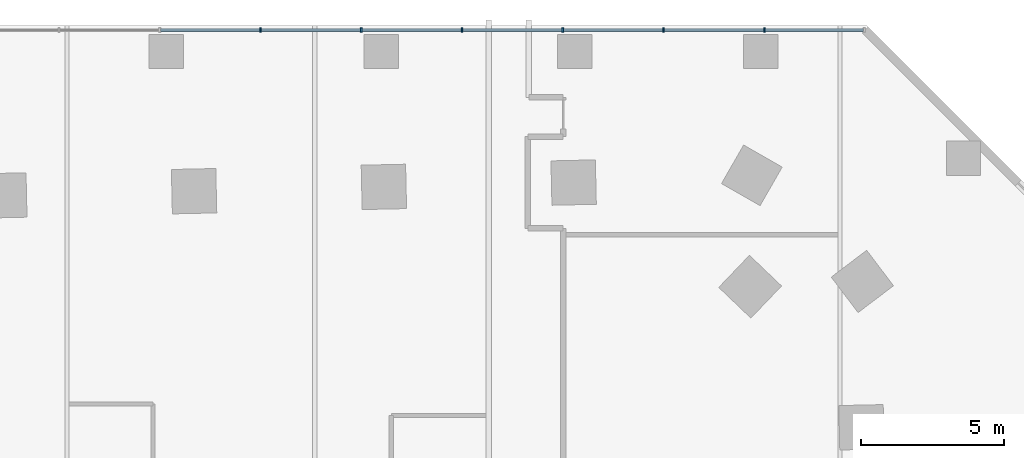
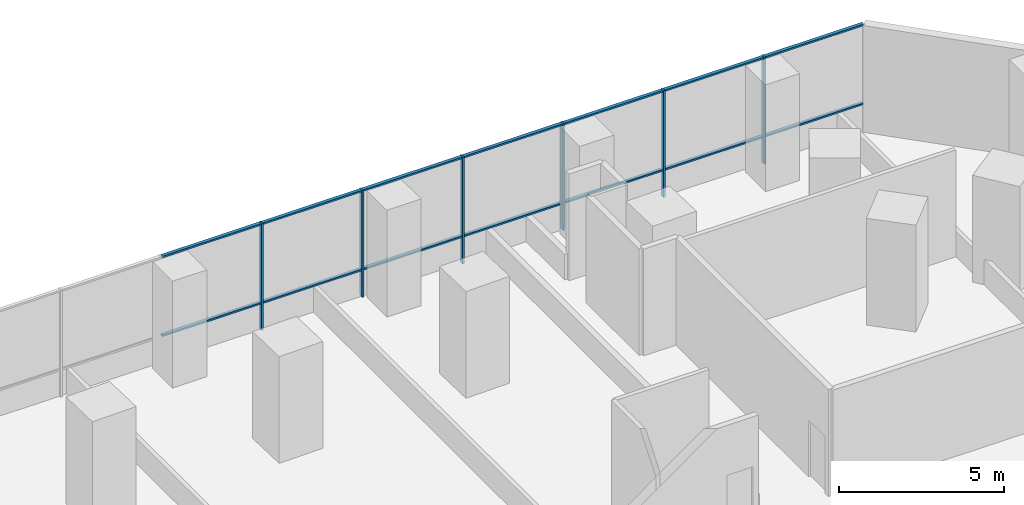
# One storey, part 3 of 13: 20 members, 1 element without a shape of its own.
"""IFC4 building model written with IfcOpenShell, lengths in metres."""

import ifcopenshell
import ifcopenshell.guid

model = None  # the IFC model being written
_history = None  # IfcOwnerHistory: only IFC2X3 demands one
_inside = {}  # id of a spatial element -> (the spatial element, [elements in it])
_under = {}  # id of a project, library or spatial element -> (it, [spatial elements below it])
_declared = {}  # id of a project -> (the project, [libraries it declares])
_typed = {}  # id of a type object -> (the type object, [elements of that type])
_made_of = {}  # id of a material, layer set ... -> (it, [elements and type objects made of it])


def new_model(schema):
    """Start an empty IFC model of exactly this schema.

    Asked for "IFC4X3", IfcOpenShell would pick the latest addendum, in which some entities
    have other attributes; the version numbers below select the first issue.
    IFC2X3 requires an IfcOwnerHistory on every rooted entity: one is made here for all.
    """
    global model, _history
    if schema == "IFC4X3":
        model = ifcopenshell.file(schema_version=(4, 3, 0, 0))
    else:
        model = ifcopenshell.file(schema=schema)
    _inside.clear()
    _under.clear()
    _declared.clear()
    _typed.clear()
    _made_of.clear()
    _history = None
    if model.schema == "IFC2X3":
        org = make("IfcOrganization", Name="unknown")
        user = make(
            "IfcPersonAndOrganization",
            ThePerson=make("IfcPerson", FamilyName="unknown"),
            TheOrganization=org,
        )
        app = make(
            "IfcApplication",
            ApplicationDeveloper=org,
            Version="unknown",
            ApplicationFullName="unknown",
            ApplicationIdentifier="unknown",
        )
        _history = make(
            "IfcOwnerHistory",
            OwningUser=user,
            OwningApplication=app,
            ChangeAction="ADDED",
            CreationDate=0,
        )
    return model


def make(cls, **values):
    """One entity of the class cls with the attributes given. An attribute that is None is left unset."""
    return model.create_entity(
        cls, **{name: value for name, value in values.items() if value is not None}
    )


def rooted(cls, **values):
    """An entity with a GlobalId (a new one), such as an element, a storey or a relation."""
    return make(cls, GlobalId=ifcopenshell.guid.new(), OwnerHistory=_history, **values)


def si_unit(unit_type, name, prefix=None):
    """IfcSIUnit, for example si_unit("LENGTHUNIT", "METRE", prefix="MILLI")."""
    return make("IfcSIUnit", UnitType=unit_type, Prefix=prefix, Name=name)


def assignment(units):
    """IfcUnitAssignment: the units of a project."""
    return None if units is None else make("IfcUnitAssignment", Units=units)


def point(xyz):
    """IfcCartesianPoint."""
    return None if xyz is None else make("IfcCartesianPoint", Coordinates=xyz)


def direction(xyz):
    """IfcDirection."""
    return None if xyz is None else make("IfcDirection", DirectionRatios=xyz)


def frame(location, z_axis=None, x_axis=None):
    """IfcAxis2Placement3D, a coordinate frame: its origin and axes. An axis left out is left unset."""
    return make(
        "IfcAxis2Placement3D",
        Location=point(location),
        Axis=direction(z_axis),
        RefDirection=direction(x_axis),
    )


def frame_2d(location, x_axis=None):
    """IfcAxis2Placement2D, a coordinate frame in the plane: its origin and x axis."""
    return make(
        "IfcAxis2Placement2D", Location=point(location), RefDirection=direction(x_axis)
    )


def origin():
    """The frame at (0, 0, 0) with its axes left unset."""
    return frame((0.0, 0.0, 0.0))


def origin_2d():
    """The frame at (0, 0) in the plane with its x axis left unset."""
    return frame_2d((0.0, 0.0))


def place(relative_to, where):
    """IfcLocalPlacement: puts the frame where relative to a parent placement (None: the world)."""
    return make(
        "IfcLocalPlacement", PlacementRelTo=relative_to, RelativePlacement=where
    )


def context(
    kind, dimensions, precision=None, world=None, true_north=None, identifier=None
):
    """IfcGeometricRepresentationContext, for example the 3D "Model" context."""
    return make(
        "IfcGeometricRepresentationContext",
        ContextIdentifier=identifier,
        ContextType=kind,
        CoordinateSpaceDimension=dimensions,
        Precision=precision,
        WorldCoordinateSystem=world,
        TrueNorth=true_north,
    )


def subcontext(parent, identifier, kind, view, scale=None):
    """IfcGeometricRepresentationSubContext, for example "Body" below "Model"."""
    return make(
        "IfcGeometricRepresentationSubContext",
        ContextIdentifier=identifier,
        ContextType=kind,
        ParentContext=parent,
        TargetScale=scale,
        TargetView=view,
    )


def project(units=None, contexts=None):
    """IfcProject with its units and contexts."""
    return rooted(
        "IfcProject",
        Name="project",
        RepresentationContexts=contexts,
        UnitsInContext=assignment(units),
    )


def spatial(cls, under=None, at=None, **own):
    """A site, building, storey or space (cls), placed at a placement, below another one or the project."""
    s = rooted(cls, ObjectPlacement=at, **own)
    if under is not None:
        _under.setdefault(under.id(), (under, []))[1].append(s)
    return s


def profile(cls, at=None, kind="AREA", **sizes):
    """A parametric profile (cls). Its sizes go by their IFC names, for example OverallWidth=200.0."""
    return make(cls, ProfileType=kind, Position=at, **sizes)


def rectangle(**sizes):
    """IfcRectangleProfileDef."""
    return profile("IfcRectangleProfileDef", **sizes)


def extrude(swept, where, along, depth):
    """IfcExtrudedAreaSolid: the profile swept, set in the frame where, extruded along a direction by depth."""
    return make(
        "IfcExtrudedAreaSolid",
        SweptArea=swept,
        Position=where,
        ExtrudedDirection=direction(along),
        Depth=depth,
    )


def shape(context_of_items, identifier, shape_type, items):
    """IfcShapeRepresentation: the items that make up one representation, for example the "Body"."""
    return make(
        "IfcShapeRepresentation",
        ContextOfItems=context_of_items,
        RepresentationIdentifier=identifier,
        RepresentationType=shape_type,
        Items=items,
    )


def material(Name=None, Category=None):
    """IfcMaterial."""
    return make("IfcMaterial", Name=Name, Category=Category)


def material_profile(
    of_material, cross_section, Name=None, Category=None, Priority=None
):
    """IfcMaterialProfile: a cross section and its material."""
    return make(
        "IfcMaterialProfile",
        Name=Name,
        Material=of_material,
        Profile=cross_section,
        Priority=Priority,
        Category=Category,
    )


def profile_set(profiles, Name=None, composite=None):
    """IfcMaterialProfileSet."""
    return make(
        "IfcMaterialProfileSet",
        Name=Name,
        MaterialProfiles=profiles,
        CompositeProfile=composite,
    )


def made_of(thing, what):
    """Note that an element or type object is made of a material, layer set ...; save() writes the relation."""
    if what is not None:
        _made_of.setdefault(what.id(), (what, []))[1].append(thing)
    return thing


def type_object(cls, material=None, **own):
    """A type object (cls), such as IfcWallType, which elements share."""
    return made_of(rooted(cls, **own), material)


def element(
    cls,
    number,
    at=None,
    inside=None,
    cuts=None,
    type_object=None,
    material=None,
    context=None,
    identifier="Body",
    shape_type=None,
    held_by="IfcProductDefinitionShape",
    body=None,
    shapes=None,
    **own,
):
    """One element of the class cls, such as IfcWall. Its Tag is "e" and its number.

    at: its placement. inside: the storey or other place that contains it. cuts: it is an
    opening in that element (IfcRelVoidsElement). A single representation is given by context,
    identifier, shape_type and body (its items); several are given by shapes. held_by: the class
    of the entity that holds the representations. save() writes the other relations.
    """
    e = rooted(cls, Tag="e%d" % number, ObjectPlacement=at, **own)
    if body is not None:
        shapes = [shape(context, identifier, shape_type, body)]
    if shapes is not None:
        e.Representation = make(held_by, Representations=shapes)
    if inside is not None:
        _inside.setdefault(inside.id(), (inside, []))[1].append(e)
    if cuts is not None:
        rooted(
            "IfcRelVoidsElement", RelatingBuildingElement=cuts, RelatedOpeningElement=e
        )
    if type_object is not None:
        _typed.setdefault(type_object.id(), (type_object, []))[1].append(e)
    return made_of(e, material)


def aggregate(whole, parts):
    """IfcRelAggregates: a whole, such as a stair, and the parts it consists of."""
    return rooted("IfcRelAggregates", RelatingObject=whole, RelatedObjects=parts)


def save(model, path):
    """Write the relations noted so far, then the file.

    IfcRelAggregates (storeys below a building ...), IfcRelContainedInSpatialStructure (elements
    in a storey), IfcRelDefinesByType, IfcRelAssociatesMaterial and IfcRelDeclares: one each for
    every whole, place, type object, material and project.
    """
    for whole, parts in _under.values():
        aggregate(whole, parts)
    for where, things in _inside.values():
        rooted(
            "IfcRelContainedInSpatialStructure",
            RelatedElements=things,
            RelatingStructure=where,
        )
    for kind, things in _typed.values():
        rooted("IfcRelDefinesByType", RelatedObjects=things, RelatingType=kind)
    for what, things in _made_of.values():
        rooted("IfcRelAssociatesMaterial", RelatedObjects=things, RelatingMaterial=what)
    for by, libraries in _declared.values():
        rooted("IfcRelDeclares", RelatingContext=by, RelatedDefinitions=libraries)
    model.write(path)


model = new_model("IFC4")

# Units and contexts
model_context = context("Model", 3, precision=1e-05, world=origin(), true_north=direction((0.0, 1.0)))
body_context = subcontext(model_context, "Body", "Model", "MODEL_VIEW")
ifc_project = project(units=[si_unit("LENGTHUNIT", "METRE"), si_unit("AREAUNIT", "SQUARE_METRE"), si_unit("VOLUMEUNIT", "CUBIC_METRE"), si_unit("PLANEANGLEUNIT", "RADIAN"), si_unit("MASSUNIT", "GRAM", prefix="KILO")], contexts=[model_context])

# Site, building, storey
site_placement = place(None, origin())
site = spatial("IfcSite", under=ifc_project, at=site_placement, CompositionType="ELEMENT")
building_placement = place(site_placement, origin())
building = spatial("IfcBuilding", under=site, at=building_placement, Name="Mangrove Gate Tower", CompositionType="ELEMENT")
storey_placement = place(building_placement, frame((0.0, 0.0, 20.5)))
storey = spatial("IfcBuildingStorey", under=building, at=storey_placement, Name="L04", CompositionType="ELEMENT", Elevation=20.5)

# Curtain wall, members
ifc_material_1 = material(Name="Aluminium and glass curtain wall", Category="aluminium")
curtain_wall_type = type_object("IfcCurtainWallType", Name="Podium amenity glazing wall", PredefinedType="NOTDEFINED", material=ifc_material_1)
curtain_wall_placement = place(storey_placement, origin())
curtain_wall = element("IfcCurtainWall", 1, at=curtain_wall_placement, inside=storey, type_object=curtain_wall_type, Name="Podium amenity glazing N3", PredefinedType="NOTDEFINED")
ifc_material_2 = material(Name="Aluminium alloy 6063-T6", Category="aluminium")
ifc_material_profile_1 = material_profile(ifc_material_2, rectangle(XDim=0.06005859375, YDim=0.159912109375, at=origin_2d()))
ifc_profile_set_1 = profile_set([ifc_material_profile_1], Name="Aluminium alloy 6063-T6")
member_type_1 = type_object("IfcMemberType", Name="Podium amenity glazing mullion 60x160", PredefinedType="MULLION", material=ifc_profile_set_1)
member_1_placement = place(storey_placement, frame((24.62060546875, 30.85009765625, 0.0), z_axis=(0.0, 0.0, 1.0), x_axis=(-1.0, 0.0, 0.0)))
member_1 = element("IfcMember", 2, at=member_1_placement, type_object=member_type_1, Name="CWP mullion 2", PredefinedType="MULLION", context=body_context, shape_type="SweptSolid", body=[
    extrude(rectangle(XDim=0.06005859375, YDim=0.159912109375, at=origin_2d()), origin(), (0.0, 0.0, 1.0), 3.949951171875),
])
member_2_placement = place(storey_placement, frame((21.103515625, 30.85009765625, 0.0), z_axis=(0.0, 0.0, 1.0), x_axis=(-1.0, 0.0, 0.0)))
member_2 = element("IfcMember", 3, at=member_2_placement, type_object=member_type_1, Name="CWP mullion 3", PredefinedType="MULLION", context=body_context, shape_type="SweptSolid", body=[
    extrude(rectangle(XDim=0.06005859375, YDim=0.159912109375, at=origin_2d()), origin(), (0.0, 0.0, 1.0), 3.949951171875),
])
member_3_placement = place(storey_placement, frame((17.586181640625, 30.85009765625, 0.0), z_axis=(0.0, 0.0, 1.0), x_axis=(-1.0, 0.0, 0.0)))
member_3 = element("IfcMember", 4, at=member_3_placement, type_object=member_type_1, Name="CWP mullion 4", PredefinedType="MULLION", context=body_context, shape_type="SweptSolid", body=[
    extrude(rectangle(XDim=0.06005859375, YDim=0.159912109375, at=origin_2d()), origin(), (0.0, 0.0, 1.0), 3.949951171875),
])
member_4_placement = place(storey_placement, frame((14.06884765625, 30.85009765625, 0.0), z_axis=(0.0, 0.0, 1.0), x_axis=(-1.0, 0.0, 0.0)))
member_4 = element("IfcMember", 5, at=member_4_placement, type_object=member_type_1, Name="CWP mullion 5", PredefinedType="MULLION", context=body_context, shape_type="SweptSolid", body=[
    extrude(rectangle(XDim=0.06005859375, YDim=0.159912109375, at=origin_2d()), origin(), (0.0, 0.0, 1.0), 3.949951171875),
])
member_5_placement = place(storey_placement, frame((10.5517578125, 30.85009765625, 0.0), z_axis=(0.0, 0.0, 1.0), x_axis=(-1.0, 0.0, 0.0)))
member_5 = element("IfcMember", 6, at=member_5_placement, type_object=member_type_1, Name="CWP mullion 6", PredefinedType="MULLION", context=body_context, shape_type="SweptSolid", body=[
    extrude(rectangle(XDim=0.06005859375, YDim=0.159912109375, at=origin_2d()), origin(), (0.0, 0.0, 1.0), 3.949951171875),
])
member_6_placement = place(storey_placement, frame((7.034423828125, 30.85009765625, 0.0), z_axis=(0.0, 0.0, 1.0), x_axis=(-1.0, 0.0, 0.0)))
member_6 = element("IfcMember", 7, at=member_6_placement, type_object=member_type_1, Name="CWP mullion 7", PredefinedType="MULLION", context=body_context, shape_type="SweptSolid", body=[
    extrude(rectangle(XDim=0.06005859375, YDim=0.159912109375, at=origin_2d()), origin(), (0.0, 0.0, 1.0), 3.949951171875),
])
ifc_material_3 = material(Name="Aluminium alloy 6063-T6", Category="aluminium")
ifc_material_profile_2 = material_profile(ifc_material_3, rectangle(XDim=0.06005859375, YDim=0.1201171875, at=origin_2d()))
ifc_profile_set_2 = profile_set([ifc_material_profile_2], Name="Aluminium alloy 6063-T6")
member_type_2 = type_object("IfcMemberType", Name="Podium amenity glazing transom 60x120", PredefinedType="USERDEFINED", material=ifc_profile_set_2)
member_7_placement = place(storey_placement, frame((28.077880859375, 30.85009765625, 1.0), z_axis=(-1.0, 0.0, 0.0), x_axis=(0.0, 0.0, 1.0)))
member_7 = element("IfcMember", 8, at=member_7_placement, type_object=member_type_2, Name="CWP transom 1.2", ObjectType="TRANSOM", PredefinedType="USERDEFINED", context=body_context, shape_type="SweptSolid", body=[
    extrude(rectangle(XDim=0.06005859375, YDim=0.1201171875, at=origin_2d()), origin(), (0.0, 0.0, 1.0), 3.42724609375),
])
member_8_placement = place(storey_placement, frame((28.077880859375, 30.85009765625, 3.919921875), z_axis=(-1.0, 0.0, 0.0), x_axis=(0.0, 0.0, 1.0)))
member_8 = element("IfcMember", 9, at=member_8_placement, type_object=member_type_2, Name="CWP transom 1.3", ObjectType="TRANSOM", PredefinedType="USERDEFINED", context=body_context, shape_type="SweptSolid", body=[
    extrude(rectangle(XDim=0.06005859375, YDim=0.1201171875, at=origin_2d()), origin(), (0.0, 0.0, 1.0), 3.42724609375),
])
member_9_placement = place(storey_placement, frame((24.590576171875, 30.85009765625, 1.0), z_axis=(-1.0, 0.0, 0.0), x_axis=(0.0, 0.0, 1.0)))
member_9 = element("IfcMember", 10, at=member_9_placement, type_object=member_type_2, Name="CWP transom 2.2", ObjectType="TRANSOM", PredefinedType="USERDEFINED", context=body_context, shape_type="SweptSolid", body=[
    extrude(rectangle(XDim=0.06005859375, YDim=0.1201171875, at=origin_2d()), origin(), (0.0, 0.0, 1.0), 3.457275390625),
])
member_10_placement = place(storey_placement, frame((24.590576171875, 30.85009765625, 3.919921875), z_axis=(-1.0, 0.0, 0.0), x_axis=(0.0, 0.0, 1.0)))
member_10 = element("IfcMember", 11, at=member_10_placement, type_object=member_type_2, Name="CWP transom 2.3", ObjectType="TRANSOM", PredefinedType="USERDEFINED", context=body_context, shape_type="SweptSolid", body=[
    extrude(rectangle(XDim=0.06005859375, YDim=0.1201171875, at=origin_2d()), origin(), (0.0, 0.0, 1.0), 3.457275390625),
])
member_11_placement = place(storey_placement, frame((21.073486328125, 30.85009765625, 1.0), z_axis=(-1.0, 0.0, 0.0), x_axis=(0.0, 0.0, 1.0)))
member_11 = element("IfcMember", 12, at=member_11_placement, type_object=member_type_2, Name="CWP transom 3.2", ObjectType="TRANSOM", PredefinedType="USERDEFINED", context=body_context, shape_type="SweptSolid", body=[
    extrude(rectangle(XDim=0.06005859375, YDim=0.1201171875, at=origin_2d()), origin(), (0.0, 0.0, 1.0), 3.457275390625),
])
member_12_placement = place(storey_placement, frame((21.073486328125, 30.85009765625, 3.919921875), z_axis=(-1.0, 0.0, 0.0), x_axis=(0.0, 0.0, 1.0)))
member_12 = element("IfcMember", 13, at=member_12_placement, type_object=member_type_2, Name="CWP transom 3.3", ObjectType="TRANSOM", PredefinedType="USERDEFINED", context=body_context, shape_type="SweptSolid", body=[
    extrude(rectangle(XDim=0.06005859375, YDim=0.1201171875, at=origin_2d()), origin(), (0.0, 0.0, 1.0), 3.457275390625),
])
member_13_placement = place(storey_placement, frame((17.55615234375, 30.85009765625, 1.0), z_axis=(-1.0, 0.0, 0.0), x_axis=(0.0, 0.0, 1.0)))
member_13 = element("IfcMember", 14, at=member_13_placement, type_object=member_type_2, Name="CWP transom 4.2", ObjectType="TRANSOM", PredefinedType="USERDEFINED", context=body_context, shape_type="SweptSolid", body=[
    extrude(rectangle(XDim=0.06005859375, YDim=0.1201171875, at=origin_2d()), origin(), (0.0, 0.0, 1.0), 3.457275390625),
])
member_14_placement = place(storey_placement, frame((17.55615234375, 30.85009765625, 3.919921875), z_axis=(-1.0, 0.0, 0.0), x_axis=(0.0, 0.0, 1.0)))
member_14 = element("IfcMember", 15, at=member_14_placement, type_object=member_type_2, Name="CWP transom 4.3", ObjectType="TRANSOM", PredefinedType="USERDEFINED", context=body_context, shape_type="SweptSolid", body=[
    extrude(rectangle(XDim=0.06005859375, YDim=0.1201171875, at=origin_2d()), origin(), (0.0, 0.0, 1.0), 3.457275390625),
])
member_15_placement = place(storey_placement, frame((14.038818359375, 30.85009765625, 1.0), z_axis=(-1.0, 0.0, 0.0), x_axis=(0.0, 0.0, 1.0)))
member_15 = element("IfcMember", 16, at=member_15_placement, type_object=member_type_2, Name="CWP transom 5.2", ObjectType="TRANSOM", PredefinedType="USERDEFINED", context=body_context, shape_type="SweptSolid", body=[
    extrude(rectangle(XDim=0.06005859375, YDim=0.1201171875, at=origin_2d()), origin(), (0.0, 0.0, 1.0), 3.45703125),
])
member_16_placement = place(storey_placement, frame((14.038818359375, 30.85009765625, 3.919921875), z_axis=(-1.0, 0.0, 0.0), x_axis=(0.0, 0.0, 1.0)))
member_16 = element("IfcMember", 17, at=member_16_placement, type_object=member_type_2, Name="CWP transom 5.3", ObjectType="TRANSOM", PredefinedType="USERDEFINED", context=body_context, shape_type="SweptSolid", body=[
    extrude(rectangle(XDim=0.06005859375, YDim=0.1201171875, at=origin_2d()), origin(), (0.0, 0.0, 1.0), 3.45703125),
])
member_17_placement = place(storey_placement, frame((10.521728515625, 30.85009765625, 1.0), z_axis=(-1.0, 0.0, 0.0), x_axis=(0.0, 0.0, 1.0)))
member_17 = element("IfcMember", 18, at=member_17_placement, type_object=member_type_2, Name="CWP transom 6.2", ObjectType="TRANSOM", PredefinedType="USERDEFINED", context=body_context, shape_type="SweptSolid", body=[
    extrude(rectangle(XDim=0.06005859375, YDim=0.1201171875, at=origin_2d()), origin(), (0.0, 0.0, 1.0), 3.457275390625),
])
member_18_placement = place(storey_placement, frame((10.521728515625, 30.85009765625, 3.919921875), z_axis=(-1.0, 0.0, 0.0), x_axis=(0.0, 0.0, 1.0)))
member_18 = element("IfcMember", 19, at=member_18_placement, type_object=member_type_2, Name="CWP transom 6.3", ObjectType="TRANSOM", PredefinedType="USERDEFINED", context=body_context, shape_type="SweptSolid", body=[
    extrude(rectangle(XDim=0.06005859375, YDim=0.1201171875, at=origin_2d()), origin(), (0.0, 0.0, 1.0), 3.457275390625),
])
member_19_placement = place(storey_placement, frame((7.00439453125, 30.85009765625, 1.0), z_axis=(-1.0, 0.0, 0.0), x_axis=(0.0, 0.0, 1.0)))
member_19 = element("IfcMember", 20, at=member_19_placement, type_object=member_type_2, Name="CWP transom 7.2", ObjectType="TRANSOM", PredefinedType="USERDEFINED", context=body_context, shape_type="SweptSolid", body=[
    extrude(rectangle(XDim=0.06005859375, YDim=0.1201171875, at=origin_2d()), origin(), (0.0, 0.0, 1.0), 3.457275390625),
])
member_20_placement = place(storey_placement, frame((7.00439453125, 30.85009765625, 3.919921875), z_axis=(-1.0, 0.0, 0.0), x_axis=(0.0, 0.0, 1.0)))
member_20 = element("IfcMember", 21, at=member_20_placement, type_object=member_type_2, Name="CWP transom 7.3", ObjectType="TRANSOM", PredefinedType="USERDEFINED", context=body_context, shape_type="SweptSolid", body=[
    extrude(rectangle(XDim=0.06005859375, YDim=0.1201171875, at=origin_2d()), origin(), (0.0, 0.0, 1.0), 3.457275390625),
])
aggregate(curtain_wall, [member_1, member_2, member_3, member_4, member_5, member_6, member_7, member_8, member_9, member_10, member_11, member_12, member_13, member_14, member_15, member_16, member_17, member_18, member_19, member_20])

save(model, "model.ifc")
